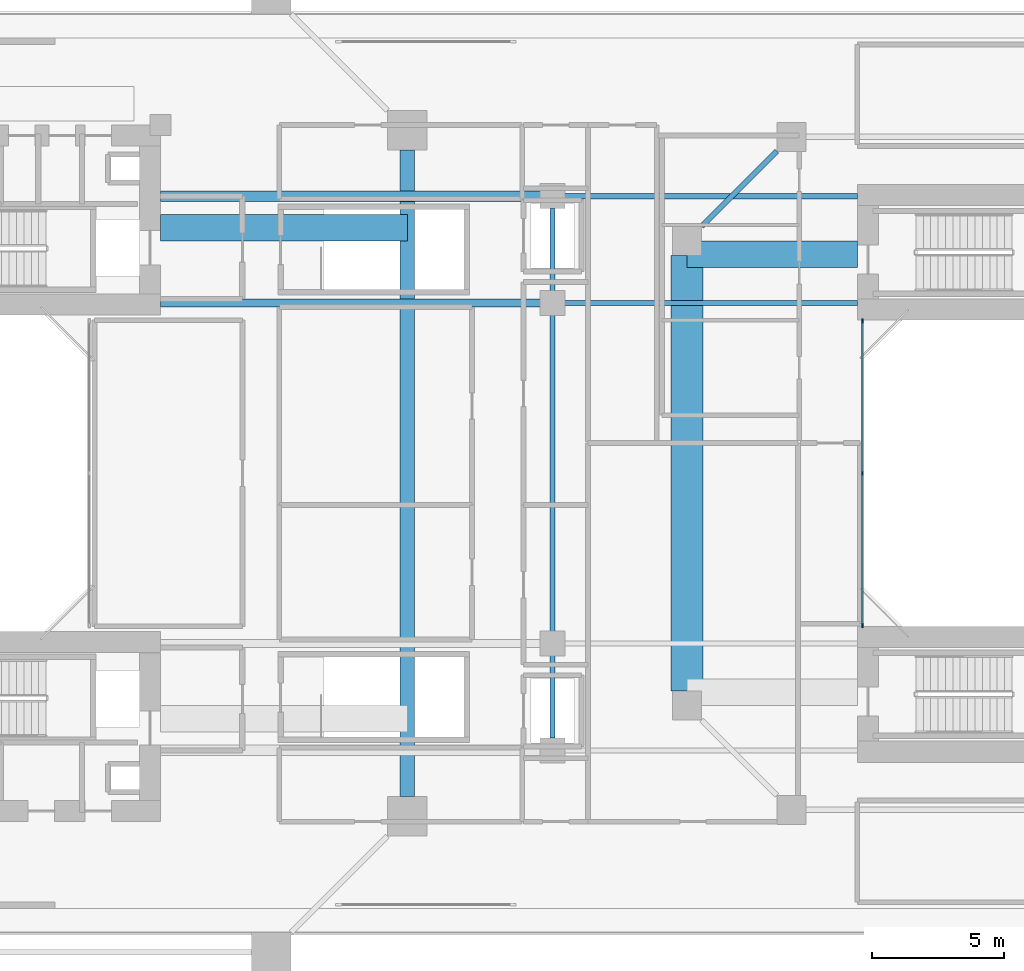
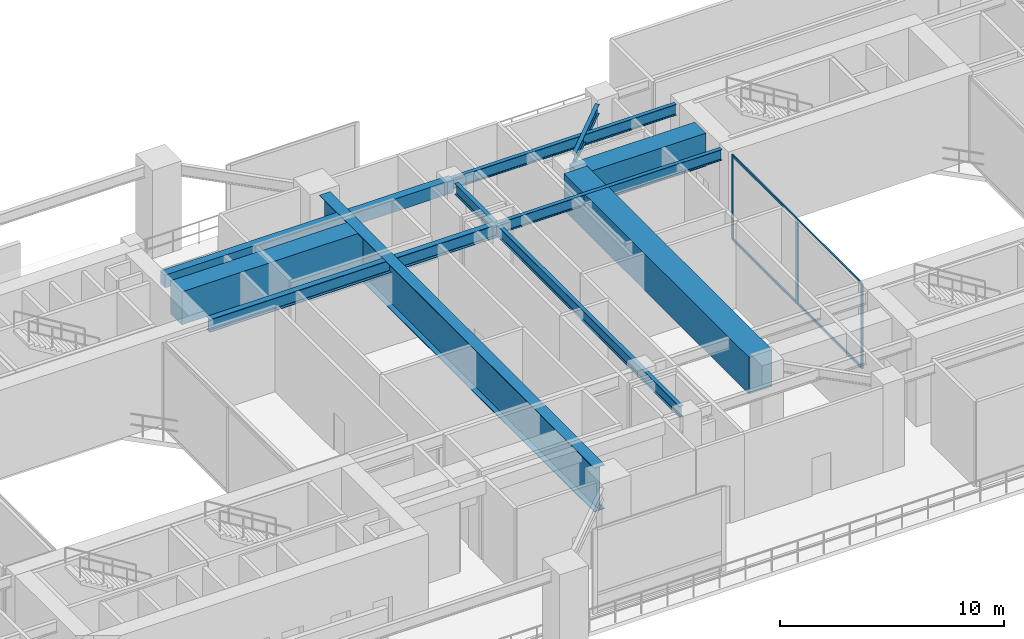
# One storey, part 6 of 19: 10 beams, 7 members, 1 element without a shape of its own.
"""IFC4 building model written with IfcOpenShell, lengths in metres."""

from ifc_helpers import new_model, si_unit, direction, frame, origin, origin_2d, place, context, subcontext, project, spatial, rectangle, i_section, extrude, source, transform, mapped, material, layer, layer_set, material_profile, profile_set, type_object, element, aggregate, save


model = new_model("IFC4")

# Units and contexts
model_context = context("Model", 3, precision=1e-05, world=origin(), true_north=direction((0.0, 1.0)))
body_context = subcontext(model_context, "Body", "Model", "MODEL_VIEW")
ifc_project = project(units=[si_unit("LENGTHUNIT", "METRE"), si_unit("AREAUNIT", "SQUARE_METRE"), si_unit("VOLUMEUNIT", "CUBIC_METRE"), si_unit("PLANEANGLEUNIT", "RADIAN"), si_unit("MASSUNIT", "GRAM", prefix="KILO"), si_unit("THERMODYNAMICTEMPERATUREUNIT", "KELVIN"), si_unit("POWERUNIT", "WATT")], contexts=[model_context])

# Site, building, storey
site_placement = place(None, origin())
site = spatial("IfcSite", under=ifc_project, at=site_placement, CompositionType="ELEMENT")
building_placement = place(site_placement, origin())
building = spatial("IfcBuilding", under=site, at=building_placement, Name="Qiaomeng Ring Towers", CompositionType="ELEMENT")
storey_placement = place(building_placement, frame((0.0, 0.0, 18.199951171875)))
storey = spatial("IfcBuildingStorey", under=building, at=storey_placement, Name="L04", CompositionType="ELEMENT", Elevation=18.199951171875)

# Beams
ifc_material_1 = material(Name="Steel Q355B", Category="steel")
ifc_material_profile_1 = material_profile(ifc_material_1, i_section(OverallWidth=0.199951171875, OverallDepth=0.5, WebThickness=0.010009765625, FlangeThickness=0.01611328125, FilletRadius=0.02001953125, at=origin_2d()), Name="HN 500x200x10x16")
ifc_profile_set_1 = profile_set([ifc_material_profile_1], Name="Steel Q355B")
beam_type_1 = type_object("IfcBeamType", Name="STR-BM-HN500", PredefinedType="BEAM", material=ifc_profile_set_1)
shared_shape_1 = source(origin(), body_context, "Body", "SweptSolid", [
    extrude(i_section(OverallWidth=0.199951171875, OverallDepth=0.5, WebThickness=0.010009765625, FlangeThickness=0.01611328125, FilletRadius=0.02001953125, at=origin_2d()), origin(), (0.0, 0.0, 1.0), 4.032470703125),
])
beam_1_placement = place(storey_placement, frame((51.150634765625, 35.20068359375, 4.3701171875), z_axis=(-0.707106781187, -0.707106781187, 0.0), x_axis=(0.707106781187, -0.707106781187, 0.0)))
element("IfcBeam", 1, at=beam_1_placement, inside=storey, type_object=beam_type_1, Name="L04 beam STR-SP-L04-T2-6", PredefinedType="BEAM", context=body_context, shape_type="MappedRepresentation", body=[
    mapped(shared_shape_1, transform((0.0, 0.0, 0.0), x_axis=(1.0, 0.0, 0.0), y_axis=(0.0, 1.0, 0.0), z_axis=(0.0, 0.0, 1.0), scale=1.0)),
])
ifc_material_profile_2 = material_profile(ifc_material_1, i_section(OverallWidth=0.199951171875, OverallDepth=0.60009765625, WebThickness=0.010986328125, FlangeThickness=0.01708984375, FilletRadius=0.02197265625, at=origin_2d()), Name="HN 600x200x11x17")
ifc_profile_set_2 = profile_set([ifc_material_profile_2], Name="Steel Q355B")
beam_type_2 = type_object("IfcBeamType", Name="STR-BM-HN600", PredefinedType="BEAM", material=ifc_profile_set_2)
shared_shape_2 = source(origin(), body_context, "Body", "SweptSolid", [
    extrude(i_section(OverallWidth=0.199951171875, OverallDepth=0.60009765625, WebThickness=0.010986328125, FlangeThickness=0.01708984375, FilletRadius=0.02197265625, at=origin_2d()), origin(), (0.0, 0.0, 1.0), 11.550048828125),
])
for number, where, z_axis, x_axis, name in (
    (2, (42.64990234375, 29.449951171875, 4.320068359375), (1.0, 0.0, 0.0), (0.0, 1.0, 0.0), "L04 beam STR-BM-L04-M2-2"),
    (3, (42.64990234375, 33.5, 4.320068359375), (1.0, 0.0, 0.0), (0.0, 1.0, 0.0), "L04 beam STR-BM-L04-M2-3"),
):
    element("IfcBeam", number, at=place(storey_placement, frame(where, z_axis=z_axis, x_axis=x_axis)), inside=storey, type_object=beam_type_2, Name=name, PredefinedType="BEAM", context=body_context, shape_type="MappedRepresentation", body=[
        mapped(shared_shape_2, transform((0.0, 0.0, 0.0), x_axis=(1.0, 0.0, 0.0), y_axis=(0.0, 1.0, 0.0), z_axis=(0.0, 0.0, 1.0), scale=1.0)),
    ])
ifc_material_profile_3 = material_profile(ifc_material_1, i_section(OverallWidth=0.300048828125, OverallDepth=0.699951171875, WebThickness=0.012939453125, FlangeThickness=0.02392578125, FilletRadius=0.02392578125, at=origin_2d()), Name="HN 700x300x13x24")
ifc_profile_set_3 = profile_set([ifc_material_profile_3], Name="Steel Q355B")
beam_type_3 = type_object("IfcBeamType", Name="STR-BM-HN700", PredefinedType="BEAM", material=ifc_profile_set_3)
shared_shape_3 = source(origin(), body_context, "Body", "SweptSolid", [
    extrude(i_section(OverallWidth=0.300048828125, OverallDepth=0.699951171875, WebThickness=0.012939453125, FlangeThickness=0.02392578125, FilletRadius=0.02392578125, at=origin_2d()), origin(), (0.0, 0.0, 1.0), 14.849853515625),
])
beam_2_placement = place(storey_placement, frame((27.800048828125, 29.449951171875, 4.27001953125), z_axis=(1.0, 0.0, 0.0), x_axis=(0.0, 1.0, 0.0)))
element("IfcBeam", 4, at=beam_2_placement, inside=storey, type_object=beam_type_3, Name="L04 beam STR-BM-L04-M1-2", PredefinedType="BEAM", context=body_context, shape_type="MappedRepresentation", body=[
    mapped(shared_shape_3, transform((0.0, 0.0, 0.0), x_axis=(1.0, 0.0, 0.0), y_axis=(0.0, 1.0, 0.0), z_axis=(0.0, 0.0, 1.0), scale=1.0)),
])
ifc_material_2 = material(Name="Concrete C40", Category="concrete")
ifc_material_profile_4 = material_profile(ifc_material_2, rectangle(XDim=0.39990234375, YDim=0.699951171875, at=origin_2d()), Name="RC BM 400x700")
ifc_profile_set_4 = profile_set([ifc_material_profile_4], Name="Concrete C40")
beam_type_4 = type_object("IfcBeamType", Name="STR-BM-RC700", PredefinedType="LINTEL", material=ifc_profile_set_4)
shared_shape_4 = source(origin(), body_context, "Body", "SweptSolid", [
    extrude(rectangle(XDim=0.39990234375, YDim=0.699951171875, at=origin_2d()), origin(), (0.0, 0.0, 1.0), 14.849853515625),
])
beam_3_placement = place(storey_placement, frame((27.800048828125, 33.5, 4.27001953125), z_axis=(1.0, 0.0, 0.0), x_axis=(0.0, 1.0, 0.0)))
element("IfcBeam", 5, at=beam_3_placement, inside=storey, type_object=beam_type_4, Name="L04 beam STR-CB-L04-T1N", PredefinedType="LINTEL", context=body_context, shape_type="MappedRepresentation", body=[
    mapped(shared_shape_4, transform((0.0, 0.0, 0.0), x_axis=(1.0, 0.0, 0.0), y_axis=(0.0, 1.0, 0.0), z_axis=(0.0, 0.0, 1.0), scale=1.0)),
])
ifc_material_3 = material(Name="Steel Q390GJC", Category="steel")
ifc_material_profile_5 = material_profile(ifc_material_3, i_section(OverallWidth=0.550048828125, OverallDepth=2.39990234375, WebThickness=0.02587890625, FlangeThickness=0.035888671875, at=origin_2d()), Name="WH 2400x550x26x36")
ifc_profile_set_5 = profile_set([ifc_material_profile_5], Name="Steel Q390GJC")
beam_type_5 = type_object("IfcBeamType", Name="STR-TG-WH2400", PredefinedType="USERDEFINED", material=ifc_profile_set_5)
shared_shape_5 = source(origin(), body_context, "Body", "SweptSolid", [
    extrude(i_section(OverallWidth=0.550048828125, OverallDepth=2.39990234375, WebThickness=0.02587890625, FlangeThickness=0.035888671875, at=origin_2d()), origin(), (0.0, 0.0, 1.0), 24.501953125),
])
beam_4_placement = place(storey_placement, frame((37.14990234375, 10.7490234375, 3.420166015625), z_axis=(0.0, 1.0, 0.0), x_axis=(-1.0, 0.0, 0.0)))
element("IfcBeam", 6, at=beam_4_placement, inside=storey, type_object=beam_type_5, Name="L04 Transfer Girder STR-TG1-L04-E", ObjectType="TRANSFER GIRDER", PredefinedType="USERDEFINED", context=body_context, shape_type="MappedRepresentation", body=[
    mapped(shared_shape_5, transform((0.0, 0.0, 0.0), x_axis=(1.0, 0.0, 0.0), y_axis=(0.0, 1.0, 0.0), z_axis=(0.0, 0.0, 1.0), scale=1.0)),
])
ifc_material_4 = material(Name="Concrete C60", Category="concrete")
ifc_material_profile_6 = material_profile(ifc_material_4, rectangle(XDim=1.0, YDim=1.800048828125, at=origin_2d()), Name="RC TG 1000x1800")
ifc_profile_set_6 = profile_set([ifc_material_profile_6], Name="Concrete C60")
beam_type_6 = type_object("IfcBeamType", Name="STR-TG-RC1800", PredefinedType="USERDEFINED", material=ifc_profile_set_6)
shared_shape_6 = source(origin(), body_context, "Body", "SweptSolid", [
    extrude(rectangle(XDim=1.0, YDim=1.800048828125, at=origin_2d()), origin(), (0.0, 0.0, 1.0), 9.349853515625),
])
beam_5_placement = place(storey_placement, frame((27.800048828125, 32.300048828125, 3.719970703125), z_axis=(1.0, 0.0, 0.0), x_axis=(0.0, 1.0, 0.0)))
element("IfcBeam", 7, at=beam_5_placement, inside=storey, type_object=beam_type_6, Name="L04 Transfer Girder STR-TG1B-L04-EN", ObjectType="TRANSFER GIRDER", PredefinedType="USERDEFINED", context=body_context, shape_type="MappedRepresentation", body=[
    mapped(shared_shape_6, transform((0.0, 0.0, 0.0), x_axis=(1.0, 0.0, 0.0), y_axis=(0.0, 1.0, 0.0), z_axis=(0.0, 0.0, 1.0), scale=1.0)),
])
ifc_material_profile_7 = material_profile(ifc_material_4, rectangle(XDim=1.199951171875, YDim=2.0, at=origin_2d()), Name="RC TG 1200x2000")
ifc_profile_set_7 = profile_set([ifc_material_profile_7], Name="Concrete C60")
beam_type_7 = type_object("IfcBeamType", Name="STR-TG-RC2000", PredefinedType="USERDEFINED", material=ifc_profile_set_7)
shared_shape_7 = source(origin(), body_context, "Body", "SweptSolid", [
    extrude(rectangle(XDim=1.199951171875, YDim=2.0, at=origin_2d()), origin(), (0.0, 0.0, 1.0), 16.501953125),
])
beam_6_placement = place(storey_placement, frame((47.75, 14.7490234375, 3.6201171875), z_axis=(0.0, 1.0, 0.0), x_axis=(-1.0, 0.0, 0.0)))
element("IfcBeam", 8, at=beam_6_placement, inside=storey, type_object=beam_type_7, Name="L04 Transfer Girder STR-TG1-L04-T2W", ObjectType="TRANSFER GIRDER", PredefinedType="USERDEFINED", context=body_context, shape_type="MappedRepresentation", body=[
    mapped(shared_shape_7, transform((0.0, 0.0, 0.0), x_axis=(1.0, 0.0, 0.0), y_axis=(0.0, 1.0, 0.0), z_axis=(0.0, 0.0, 1.0), scale=1.0)),
])
shared_shape_8 = source(origin(), body_context, "Body", "SweptSolid", [
    extrude(rectangle(XDim=1.0, YDim=1.800048828125, at=origin_2d()), origin(), (0.0, 0.0, 1.0), 6.449951171875),
])
beam_7_placement = place(storey_placement, frame((47.75, 31.300048828125, 3.719970703125), z_axis=(1.0, 0.0, 0.0), x_axis=(0.0, 1.0, 0.0)))
element("IfcBeam", 9, at=beam_7_placement, inside=storey, type_object=beam_type_6, Name="L04 Transfer Girder STR-TG1B-L04-T2N", ObjectType="TRANSFER GIRDER", PredefinedType="USERDEFINED", context=body_context, shape_type="MappedRepresentation", body=[
    mapped(shared_shape_8, transform((0.0, 0.0, 0.0), x_axis=(1.0, 0.0, 0.0), y_axis=(0.0, 1.0, 0.0), z_axis=(0.0, 0.0, 1.0), scale=1.0)),
])
shared_shape_9 = source(origin(), body_context, "Body", "SweptSolid", [
    extrude(i_section(OverallWidth=0.199951171875, OverallDepth=0.60009765625, WebThickness=0.010986328125, FlangeThickness=0.01708984375, FilletRadius=0.02197265625, at=origin_2d()), origin(), (0.0, 0.0, 1.0), 20.0517578125),
])
beam_8_placement = place(storey_placement, frame((42.64990234375, 12.97412109375, 4.320068359375), z_axis=(0.0, 1.0, 0.0), x_axis=(-1.0, 0.0, 0.0)))
element("IfcBeam", 10, at=beam_8_placement, inside=storey, type_object=beam_type_2, Name="L04 beam STR-BM-L04-THROAT-N", PredefinedType="BEAM", context=body_context, shape_type="MappedRepresentation", body=[
    mapped(shared_shape_9, transform((0.0, 0.0, 0.0), x_axis=(1.0, 0.0, 0.0), y_axis=(0.0, 1.0, 0.0), z_axis=(0.0, 0.0, 1.0), scale=1.0)),
])

# Curtain wall, members
ifc_material_5 = material(Name="Fluorocarbon dark-grey aluminium", Category="aluminium")
ifc_layer = layer(ifc_material_5, 0.139892578125, Name="Fluorocarbon dark-grey aluminium")
ifc_layer_set = layer_set([ifc_layer], Name="Fluorocarbon dark-grey aluminium")
curtain_wall_type = type_object("IfcCurtainWallType", Name="ARC-CW-4", PredefinedType="NOTDEFINED", material=ifc_layer_set)
curtain_wall_placement = place(storey_placement, origin())
curtain_wall = element("IfcCurtainWall", 11, at=curtain_wall_placement, inside=storey, type_object=curtain_wall_type, Name="L04 Curtain Wall CW4", PredefinedType="NOTDEFINED")
ifc_material_profile_8 = material_profile(ifc_material_5, rectangle(XDim=0.06494140625, YDim=0.1298828125, at=origin_2d()), Name="ALU TRAN 65x130")
ifc_profile_set_8 = profile_set([ifc_material_profile_8], Name="Fluorocarbon dark-grey aluminium")
member_type_1 = type_object("IfcMemberType", Name="ARC-CWT-120", PredefinedType="USERDEFINED", material=ifc_profile_set_8)
shared_shape_10 = source(origin(), body_context, "Body", "SweptSolid", [
    extrude(rectangle(XDim=0.06494140625, YDim=0.1298828125, at=origin_2d()), origin(), (0.0, 0.0, 1.0), 5.70263671875),
])
member_1_placement = place(storey_placement, frame((54.39990234375, 17.264892578125, 0.032470703125), z_axis=(0.0, 1.0, 0.0), x_axis=(-1.0, 0.0, 0.0)))
member_1 = element("IfcMember", 12, at=member_1_placement, type_object=member_type_1, Name="CW4 transom 1.1", ObjectType="TRANSOM", PredefinedType="USERDEFINED", context=body_context, shape_type="MappedRepresentation", body=[
    mapped(shared_shape_10, transform((0.0, 0.0, 0.0), x_axis=(1.0, 0.0, 0.0), y_axis=(0.0, 1.0, 0.0), z_axis=(0.0, 0.0, 1.0), scale=1.0)),
])
member_2_placement = place(storey_placement, frame((54.39990234375, 17.264892578125, 4.587646484375), z_axis=(0.0, 1.0, 0.0), x_axis=(-1.0, 0.0, 0.0)))
member_2 = element("IfcMember", 13, at=member_2_placement, type_object=member_type_1, Name="CW4 transom 1.2", ObjectType="TRANSOM", PredefinedType="USERDEFINED", context=body_context, shape_type="MappedRepresentation", body=[
    mapped(shared_shape_10, transform((0.0, 0.0, 0.0), x_axis=(1.0, 0.0, 0.0), y_axis=(0.0, 1.0, 0.0), z_axis=(0.0, 0.0, 1.0), scale=1.0)),
])
member_3_placement = place(storey_placement, frame((54.39990234375, 23.032470703125, 0.032470703125), z_axis=(0.0, 1.0, 0.0), x_axis=(-1.0, 0.0, 0.0)))
member_3 = element("IfcMember", 14, at=member_3_placement, type_object=member_type_1, Name="CW4 transom 2.1", ObjectType="TRANSOM", PredefinedType="USERDEFINED", context=body_context, shape_type="MappedRepresentation", body=[
    mapped(shared_shape_10, transform((0.0, 0.0, 0.0), x_axis=(1.0, 0.0, 0.0), y_axis=(0.0, 1.0, 0.0), z_axis=(0.0, 0.0, 1.0), scale=1.0)),
])
member_4_placement = place(storey_placement, frame((54.39990234375, 23.032470703125, 4.587646484375), z_axis=(0.0, 1.0, 0.0), x_axis=(-1.0, 0.0, 0.0)))
member_4 = element("IfcMember", 15, at=member_4_placement, type_object=member_type_1, Name="CW4 transom 2.2", ObjectType="TRANSOM", PredefinedType="USERDEFINED", context=body_context, shape_type="MappedRepresentation", body=[
    mapped(shared_shape_10, transform((0.0, 0.0, 0.0), x_axis=(1.0, 0.0, 0.0), y_axis=(0.0, 1.0, 0.0), z_axis=(0.0, 0.0, 1.0), scale=1.0)),
])
ifc_material_profile_9 = material_profile(ifc_material_5, rectangle(XDim=0.06494140625, YDim=0.159912109375, at=origin_2d()), Name="ALU MULL 65x160")
ifc_profile_set_9 = profile_set([ifc_material_profile_9], Name="Fluorocarbon dark-grey aluminium")
member_type_2 = type_object("IfcMemberType", Name="ARC-CWM-140", PredefinedType="MULLION", material=ifc_profile_set_9)
shared_shape_11 = source(origin(), body_context, "Body", "SweptSolid", [
    extrude(rectangle(XDim=0.06494140625, YDim=0.159912109375, at=origin_2d()), origin(), (0.0, 0.0, 1.0), 4.6201171875),
])
member_5_placement = place(storey_placement, frame((54.39990234375, 17.232421875, 0.0), z_axis=(0.0, 0.0, 1.0), x_axis=(-1.0, 0.0, 0.0)))
member_5 = element("IfcMember", 16, at=member_5_placement, type_object=member_type_2, Name="CW4 mullion 1", PredefinedType="MULLION", context=body_context, shape_type="MappedRepresentation", body=[
    mapped(shared_shape_11, transform((0.0, 0.0, 0.0), x_axis=(1.0, 0.0, 0.0), y_axis=(0.0, 1.0, 0.0), z_axis=(0.0, 0.0, 1.0), scale=1.0)),
])
member_6_placement = place(storey_placement, frame((54.39990234375, 23.0, 0.0), z_axis=(0.0, 0.0, 1.0), x_axis=(-1.0, 0.0, 0.0)))
member_6 = element("IfcMember", 17, at=member_6_placement, type_object=member_type_2, Name="CW4 mullion 2", PredefinedType="MULLION", context=body_context, shape_type="MappedRepresentation", body=[
    mapped(shared_shape_11, transform((0.0, 0.0, 0.0), x_axis=(1.0, 0.0, 0.0), y_axis=(0.0, 1.0, 0.0), z_axis=(0.0, 0.0, 1.0), scale=1.0)),
])
member_7_placement = place(storey_placement, frame((54.39990234375, 28.767578125, 0.0), z_axis=(0.0, 0.0, 1.0), x_axis=(-1.0, 0.0, 0.0)))
member_7 = element("IfcMember", 18, at=member_7_placement, type_object=member_type_2, Name="CW4 mullion 3", PredefinedType="MULLION", context=body_context, shape_type="MappedRepresentation", body=[
    mapped(shared_shape_11, transform((0.0, 0.0, 0.0), x_axis=(1.0, 0.0, 0.0), y_axis=(0.0, 1.0, 0.0), z_axis=(0.0, 0.0, 1.0), scale=1.0)),
])
aggregate(curtain_wall, [member_5, member_6, member_7, member_1, member_2, member_3, member_4])

save(model, "model.ifc")
